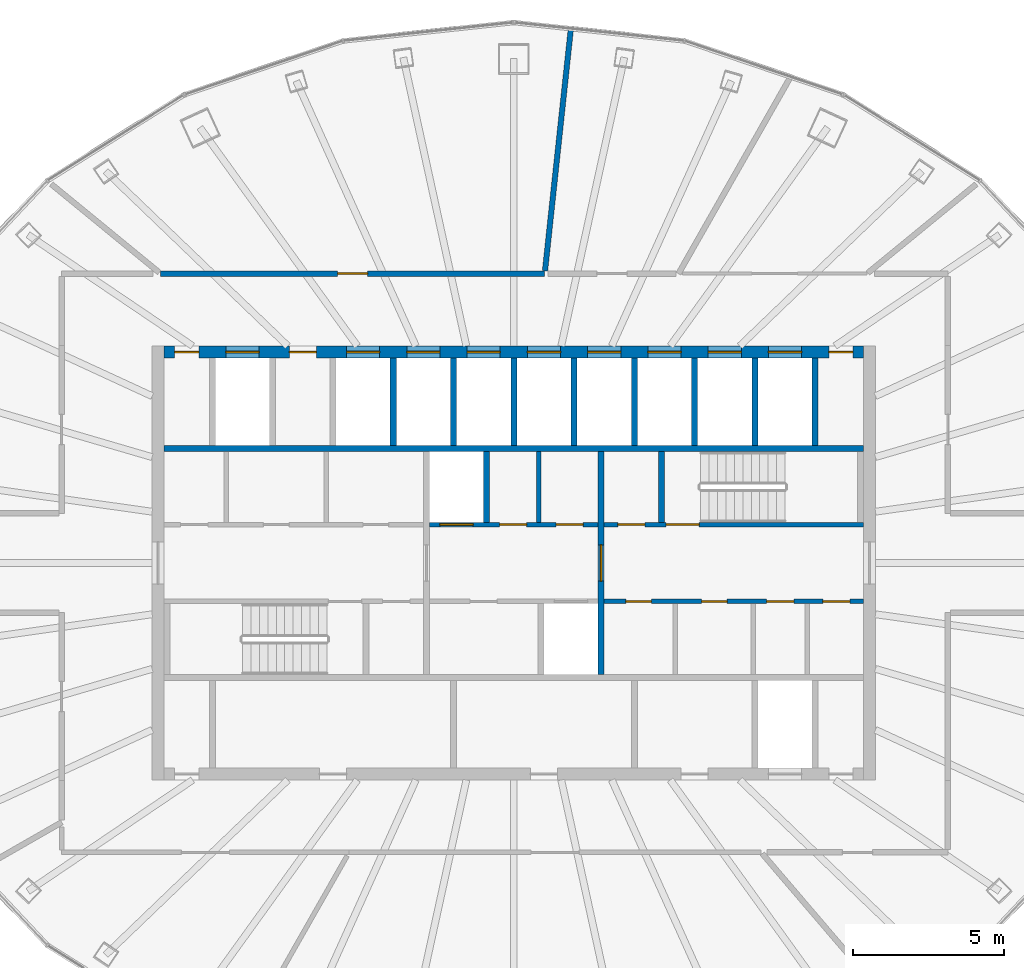
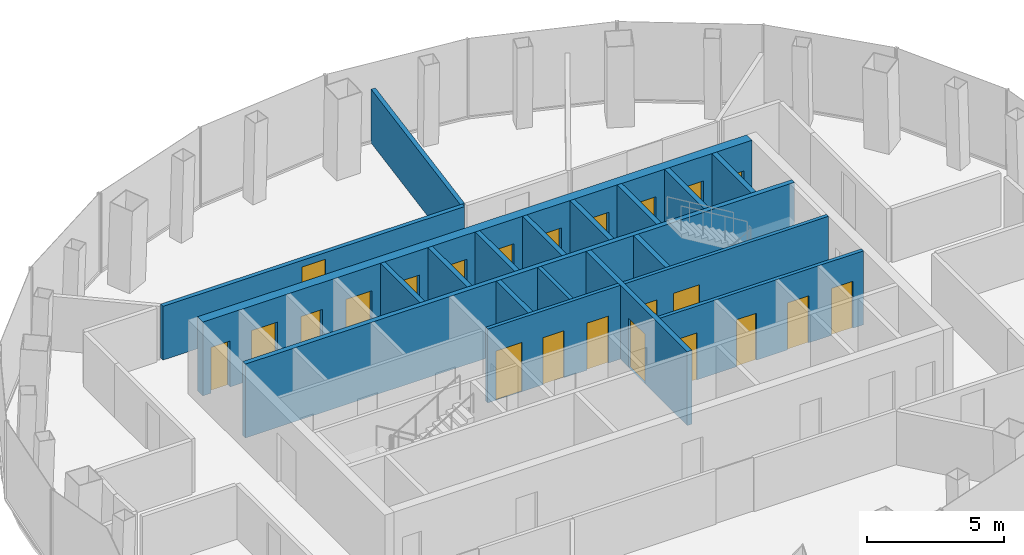
# One storey, part 9 of 11: 23 doors, 19 walls, 23 openings.
"""IFC4 building model written with IfcOpenShell, lengths in metres."""

import ifcopenshell
import ifcopenshell.guid

model = None  # the IFC model being written
_history = None  # IfcOwnerHistory: only IFC2X3 demands one
_inside = {}  # id of a spatial element -> (the spatial element, [elements in it])
_under = {}  # id of a project, library or spatial element -> (it, [spatial elements below it])
_declared = {}  # id of a project -> (the project, [libraries it declares])
_typed = {}  # id of a type object -> (the type object, [elements of that type])
_made_of = {}  # id of a material, layer set ... -> (it, [elements and type objects made of it])


def new_model(schema):
    """Start an empty IFC model of exactly this schema.

    Asked for "IFC4X3", IfcOpenShell would pick the latest addendum, in which some entities
    have other attributes; the version numbers below select the first issue.
    IFC2X3 requires an IfcOwnerHistory on every rooted entity: one is made here for all.
    """
    global model, _history
    if schema == "IFC4X3":
        model = ifcopenshell.file(schema_version=(4, 3, 0, 0))
    else:
        model = ifcopenshell.file(schema=schema)
    _inside.clear()
    _under.clear()
    _declared.clear()
    _typed.clear()
    _made_of.clear()
    _history = None
    if model.schema == "IFC2X3":
        org = make("IfcOrganization", Name="unknown")
        user = make(
            "IfcPersonAndOrganization",
            ThePerson=make("IfcPerson", FamilyName="unknown"),
            TheOrganization=org,
        )
        app = make(
            "IfcApplication",
            ApplicationDeveloper=org,
            Version="unknown",
            ApplicationFullName="unknown",
            ApplicationIdentifier="unknown",
        )
        _history = make(
            "IfcOwnerHistory",
            OwningUser=user,
            OwningApplication=app,
            ChangeAction="ADDED",
            CreationDate=0,
        )
    return model


def make(cls, **values):
    """One entity of the class cls with the attributes given. An attribute that is None is left unset."""
    return model.create_entity(
        cls, **{name: value for name, value in values.items() if value is not None}
    )


def rooted(cls, **values):
    """An entity with a GlobalId (a new one), such as an element, a storey or a relation."""
    return make(cls, GlobalId=ifcopenshell.guid.new(), OwnerHistory=_history, **values)


def si_unit(unit_type, name, prefix=None):
    """IfcSIUnit, for example si_unit("LENGTHUNIT", "METRE", prefix="MILLI")."""
    return make("IfcSIUnit", UnitType=unit_type, Prefix=prefix, Name=name)


def assignment(units):
    """IfcUnitAssignment: the units of a project."""
    return None if units is None else make("IfcUnitAssignment", Units=units)


def point(xyz):
    """IfcCartesianPoint."""
    return None if xyz is None else make("IfcCartesianPoint", Coordinates=xyz)


def direction(xyz):
    """IfcDirection."""
    return None if xyz is None else make("IfcDirection", DirectionRatios=xyz)


def frame(location, z_axis=None, x_axis=None):
    """IfcAxis2Placement3D, a coordinate frame: its origin and axes. An axis left out is left unset."""
    return make(
        "IfcAxis2Placement3D",
        Location=point(location),
        Axis=direction(z_axis),
        RefDirection=direction(x_axis),
    )


def frame_2d(location, x_axis=None):
    """IfcAxis2Placement2D, a coordinate frame in the plane: its origin and x axis."""
    return make(
        "IfcAxis2Placement2D", Location=point(location), RefDirection=direction(x_axis)
    )


def origin():
    """The frame at (0, 0, 0) with its axes left unset."""
    return frame((0.0, 0.0, 0.0))


def place(relative_to, where):
    """IfcLocalPlacement: puts the frame where relative to a parent placement (None: the world)."""
    return make(
        "IfcLocalPlacement", PlacementRelTo=relative_to, RelativePlacement=where
    )


def context(
    kind, dimensions, precision=None, world=None, true_north=None, identifier=None
):
    """IfcGeometricRepresentationContext, for example the 3D "Model" context."""
    return make(
        "IfcGeometricRepresentationContext",
        ContextIdentifier=identifier,
        ContextType=kind,
        CoordinateSpaceDimension=dimensions,
        Precision=precision,
        WorldCoordinateSystem=world,
        TrueNorth=true_north,
    )


def subcontext(parent, identifier, kind, view, scale=None):
    """IfcGeometricRepresentationSubContext, for example "Body" below "Model"."""
    return make(
        "IfcGeometricRepresentationSubContext",
        ContextIdentifier=identifier,
        ContextType=kind,
        ParentContext=parent,
        TargetScale=scale,
        TargetView=view,
    )


def project(units=None, contexts=None):
    """IfcProject with its units and contexts."""
    return rooted(
        "IfcProject",
        Name="project",
        RepresentationContexts=contexts,
        UnitsInContext=assignment(units),
    )


def spatial(cls, under=None, at=None, **own):
    """A site, building, storey or space (cls), placed at a placement, below another one or the project."""
    s = rooted(cls, ObjectPlacement=at, **own)
    if under is not None:
        _under.setdefault(under.id(), (under, []))[1].append(s)
    return s


def profile(cls, at=None, kind="AREA", **sizes):
    """A parametric profile (cls). Its sizes go by their IFC names, for example OverallWidth=200.0."""
    return make(cls, ProfileType=kind, Position=at, **sizes)


def rectangle(**sizes):
    """IfcRectangleProfileDef."""
    return profile("IfcRectangleProfileDef", **sizes)


def extrude(swept, where, along, depth):
    """IfcExtrudedAreaSolid: the profile swept, set in the frame where, extruded along a direction by depth."""
    return make(
        "IfcExtrudedAreaSolid",
        SweptArea=swept,
        Position=where,
        ExtrudedDirection=direction(along),
        Depth=depth,
    )


def shape(context_of_items, identifier, shape_type, items):
    """IfcShapeRepresentation: the items that make up one representation, for example the "Body"."""
    return make(
        "IfcShapeRepresentation",
        ContextOfItems=context_of_items,
        RepresentationIdentifier=identifier,
        RepresentationType=shape_type,
        Items=items,
    )


def material(Name=None, Category=None):
    """IfcMaterial."""
    return make("IfcMaterial", Name=Name, Category=Category)


def layer(
    of_material, thickness, ventilated=None, Name=None, Category=None, Priority=None
):
    """IfcMaterialLayer: one layer of a wall or slab, of a material (None: an air gap)."""
    return make(
        "IfcMaterialLayer",
        Material=of_material,
        LayerThickness=thickness,
        IsVentilated=ventilated,
        Name=Name,
        Category=Category,
        Priority=Priority,
    )


def layer_set(layers, Name=None):
    """IfcMaterialLayerSet."""
    return make("IfcMaterialLayerSet", MaterialLayers=layers, LayerSetName=Name)


def made_of(thing, what):
    """Note that an element or type object is made of a material, layer set ...; save() writes the relation."""
    if what is not None:
        _made_of.setdefault(what.id(), (what, []))[1].append(thing)
    return thing


def type_object(cls, material=None, **own):
    """A type object (cls), such as IfcWallType, which elements share."""
    return made_of(rooted(cls, **own), material)


def element(
    cls,
    number,
    at=None,
    inside=None,
    cuts=None,
    type_object=None,
    material=None,
    context=None,
    identifier="Body",
    shape_type=None,
    held_by="IfcProductDefinitionShape",
    body=None,
    shapes=None,
    **own,
):
    """One element of the class cls, such as IfcWall. Its Tag is "e" and its number.

    at: its placement. inside: the storey or other place that contains it. cuts: it is an
    opening in that element (IfcRelVoidsElement). A single representation is given by context,
    identifier, shape_type and body (its items); several are given by shapes. held_by: the class
    of the entity that holds the representations. save() writes the other relations.
    """
    e = rooted(cls, Tag="e%d" % number, ObjectPlacement=at, **own)
    if body is not None:
        shapes = [shape(context, identifier, shape_type, body)]
    if shapes is not None:
        e.Representation = make(held_by, Representations=shapes)
    if inside is not None:
        _inside.setdefault(inside.id(), (inside, []))[1].append(e)
    if cuts is not None:
        rooted(
            "IfcRelVoidsElement", RelatingBuildingElement=cuts, RelatedOpeningElement=e
        )
    if type_object is not None:
        _typed.setdefault(type_object.id(), (type_object, []))[1].append(e)
    return made_of(e, material)


def fill(opening, filler):
    """IfcRelFillsElement: the door or window that sits in an opening."""
    return rooted(
        "IfcRelFillsElement",
        RelatingOpeningElement=opening,
        RelatedBuildingElement=filler,
    )


def aggregate(whole, parts):
    """IfcRelAggregates: a whole, such as a stair, and the parts it consists of."""
    return rooted("IfcRelAggregates", RelatingObject=whole, RelatedObjects=parts)


def save(model, path):
    """Write the relations noted so far, then the file.

    IfcRelAggregates (storeys below a building ...), IfcRelContainedInSpatialStructure (elements
    in a storey), IfcRelDefinesByType, IfcRelAssociatesMaterial and IfcRelDeclares: one each for
    every whole, place, type object, material and project.
    """
    for whole, parts in _under.values():
        aggregate(whole, parts)
    for where, things in _inside.values():
        rooted(
            "IfcRelContainedInSpatialStructure",
            RelatedElements=things,
            RelatingStructure=where,
        )
    for kind, things in _typed.values():
        rooted("IfcRelDefinesByType", RelatedObjects=things, RelatingType=kind)
    for what, things in _made_of.values():
        rooted("IfcRelAssociatesMaterial", RelatedObjects=things, RelatingMaterial=what)
    for by, libraries in _declared.values():
        rooted("IfcRelDeclares", RelatingContext=by, RelatedDefinitions=libraries)
    model.write(path)


model = new_model("IFC4")

# Units and contexts
model_context = context("Model", 3, precision=1e-05, world=origin(), true_north=direction((0.0, 1.0)))
body_context = subcontext(model_context, "Body", "Model", "MODEL_VIEW")
ifc_project = project(units=[si_unit("LENGTHUNIT", "METRE"), si_unit("AREAUNIT", "SQUARE_METRE"), si_unit("VOLUMEUNIT", "CUBIC_METRE"), si_unit("PLANEANGLEUNIT", "RADIAN"), si_unit("MASSUNIT", "GRAM", prefix="KILO")], contexts=[model_context])

# Site, building, storey
site_placement = place(None, origin())
site = spatial("IfcSite", under=ifc_project, at=site_placement, CompositionType="ELEMENT")
building_placement = place(site_placement, origin())
building = spatial("IfcBuilding", under=site, at=building_placement, Name="Siaravel Broadcast Tower", CompositionType="ELEMENT")
storey_placement = place(building_placement, frame((0.0, 0.0, 224.5)))
storey = spatial("IfcBuildingStorey", under=building, at=storey_placement, Name="L54", CompositionType="ELEMENT", Elevation=224.5)

# Wall
ifc_material_1 = material(Name="Concrete blockwork", Category="masonry")
ifc_layer_1 = layer(ifc_material_1, 0.14990234375)
ifc_layer_set_1 = layer_set([ifc_layer_1], Name="Concrete blockwork")
wall_type_1 = type_object("IfcWallType", Name="Core partition 150", PredefinedType="PARTITIONING", material=ifc_layer_set_1)
wall_1_placement = place(storey_placement, frame((0.827392578125, 1.35009765625, 0.0), z_axis=(0.0, 0.0, 1.0), x_axis=(0.0, 1.0, 0.0)))
element("IfcWall", 1, at=wall_1_placement, inside=storey, type_object=wall_type_1, Name="L54 core partition PNM0", PredefinedType="PARTITIONING", context=body_context, shape_type="SweptSolid", body=[
    extrude(rectangle(XDim=2.349853515625, YDim=0.14990234375, at=frame_2d((1.1748046875, 0.0))), origin(), (0.0, 0.0, 1.0), 3.300048828125),
])

# Wall, openings, doors
ifc_material_2 = material(Name="Concrete C60/75", Category="concrete")
ifc_layer_2 = layer(ifc_material_2, 0.39990234375)
ifc_layer_set_2 = layer_set([ifc_layer_2], Name="Concrete C60/75")
wall_type_2 = type_object("IfcWallType", Name="Core wall 400", PredefinedType="SHEAR", material=ifc_layer_set_2)
wall_2_placement = place(storey_placement, frame((-11.60009765625, 7.0, 0.0), z_axis=(0.0, 0.0, 1.0), x_axis=(1.0, 0.0, 0.0)))
wall_2 = element("IfcWall", 2, at=wall_2_placement, inside=storey, type_object=wall_type_2, Name="L54 core wall ON", PredefinedType="SHEAR", context=body_context, shape_type="SweptSolid", body=[
    extrude(rectangle(XDim=23.2001953125, YDim=0.39990234375, at=frame_2d((11.60009765625, 0.0))), origin(), (0.0, 0.0, 1.0), 3.300048828125),
])
opening_1_placement = place(wall_2_placement, frame((2.050048828125, 0.0, 0.0)))
opening_1 = element("IfcOpeningElement", 3, at=opening_1_placement, cuts=wall_2, Name="Opening LD-SV2-L54", PredefinedType="OPENING", context=body_context, shape_type="SweptSolid", body=[
    extrude(rectangle(XDim=1.10009765625, YDim=2.199951171875, at=frame_2d((0.550048828125, 1.10009765625))), frame((0.0, 0.2099609375, 0.0), z_axis=(0.0, -1.0, 0.0), x_axis=(1.0, 0.0, 0.0)), (0.0, 0.0, 1.0), 0.419921875),
])
opening_2_placement = place(wall_2_placement, frame((6.050048828125, 0.0, 0.0)))
opening_2 = element("IfcOpeningElement", 4, at=opening_2_placement, cuts=wall_2, Name="Opening LD-HP1-L54", PredefinedType="OPENING", context=body_context, shape_type="SweptSolid", body=[
    extrude(rectangle(XDim=1.10009765625, YDim=2.199951171875, at=frame_2d((0.550048828125, 1.10009765625))), frame((0.0, 0.2099609375, 0.0), z_axis=(0.0, -1.0, 0.0), x_axis=(1.0, 0.0, 0.0)), (0.0, 0.0, 1.0), 0.419921875),
])
opening_3_placement = place(wall_2_placement, frame((8.050048828125, 0.0, 0.0)))
opening_3 = element("IfcOpeningElement", 5, at=opening_3_placement, cuts=wall_2, Name="Opening LD-HP2-L54", PredefinedType="OPENING", context=body_context, shape_type="SweptSolid", body=[
    extrude(rectangle(XDim=1.10009765625, YDim=2.199951171875, at=frame_2d((0.550048828125, 1.10009765625))), frame((0.0, 0.2099609375, 0.0), z_axis=(0.0, -1.0, 0.0), x_axis=(1.0, 0.0, 0.0)), (0.0, 0.0, 1.0), 0.419921875),
])
opening_4_placement = place(wall_2_placement, frame((10.050048828125, 0.0, 0.0)))
opening_4 = element("IfcOpeningElement", 6, at=opening_4_placement, cuts=wall_2, Name="Opening LD-HP3-L54", PredefinedType="OPENING", context=body_context, shape_type="SweptSolid", body=[
    extrude(rectangle(XDim=1.10009765625, YDim=2.199951171875, at=frame_2d((0.550048828125, 1.10009765625))), frame((0.0, 0.2099609375, 0.0), z_axis=(0.0, -1.0, 0.0), x_axis=(1.0, 0.0, 0.0)), (0.0, 0.0, 1.0), 0.419921875),
])
opening_5_placement = place(wall_2_placement, frame((12.050048828125, 0.0, 0.0)))
opening_5 = element("IfcOpeningElement", 7, at=opening_5_placement, cuts=wall_2, Name="Opening LD-HP4-L54", PredefinedType="OPENING", context=body_context, shape_type="SweptSolid", body=[
    extrude(rectangle(XDim=1.10009765625, YDim=2.199951171875, at=frame_2d((0.550048828125, 1.10009765625))), frame((0.0, 0.2099609375, 0.0), z_axis=(0.0, -1.0, 0.0), x_axis=(1.0, 0.0, 0.0)), (0.0, 0.0, 1.0), 0.419921875),
])
opening_6_placement = place(wall_2_placement, frame((14.050048828125, 0.0, 0.0)))
opening_6 = element("IfcOpeningElement", 8, at=opening_6_placement, cuts=wall_2, Name="Opening LD-HP5-L54", PredefinedType="OPENING", context=body_context, shape_type="SweptSolid", body=[
    extrude(rectangle(XDim=1.10009765625, YDim=2.199951171875, at=frame_2d((0.550048828125, 1.10009765625))), frame((0.0, 0.2099609375, 0.0), z_axis=(0.0, -1.0, 0.0), x_axis=(1.0, 0.0, 0.0)), (0.0, 0.0, 1.0), 0.419921875),
])
opening_7_placement = place(wall_2_placement, frame((16.050048828125, 0.0, 0.0)))
opening_7 = element("IfcOpeningElement", 9, at=opening_7_placement, cuts=wall_2, Name="Opening LD-HP6-L54", PredefinedType="OPENING", context=body_context, shape_type="SweptSolid", body=[
    extrude(rectangle(XDim=1.10009765625, YDim=2.199951171875, at=frame_2d((0.550048828125, 1.10009765625))), frame((0.0, 0.2099609375, 0.0), z_axis=(0.0, -1.0, 0.0), x_axis=(1.0, 0.0, 0.0)), (0.0, 0.0, 1.0), 0.419921875),
])
opening_8_placement = place(wall_2_placement, frame((18.050048828125, 0.0, 0.0)))
opening_8 = element("IfcOpeningElement", 10, at=opening_8_placement, cuts=wall_2, Name="Opening LD-HP7-L54", PredefinedType="OPENING", context=body_context, shape_type="SweptSolid", body=[
    extrude(rectangle(XDim=1.10009765625, YDim=2.199951171875, at=frame_2d((0.550048828125, 1.10009765625))), frame((0.0, 0.2099609375, 0.0), z_axis=(0.0, -1.0, 0.0), x_axis=(1.0, 0.0, 0.0)), (0.0, 0.0, 1.0), 0.419921875),
])
opening_9_placement = place(wall_2_placement, frame((20.050048828125, 0.0, 0.0)))
opening_9 = element("IfcOpeningElement", 11, at=opening_9_placement, cuts=wall_2, Name="Opening LD-HP8-L54", PredefinedType="OPENING", context=body_context, shape_type="SweptSolid", body=[
    extrude(rectangle(XDim=1.10009765625, YDim=2.199951171875, at=frame_2d((0.550048828125, 1.10009765625))), frame((0.0, 0.2099609375, 0.0), z_axis=(0.0, -1.0, 0.0), x_axis=(1.0, 0.0, 0.0)), (0.0, 0.0, 1.0), 0.419921875),
])
opening_10_placement = place(wall_2_placement, frame((4.14990234375, 0.0, 0.0)))
opening_10 = element("IfcOpeningElement", 12, at=opening_10_placement, cuts=wall_2, Name="Opening L54-DFN1", PredefinedType="OPENING", context=body_context, shape_type="SweptSolid", body=[
    extrude(rectangle(XDim=0.89990234375, YDim=2.10009765625, at=frame_2d((0.449951171875, 1.050048828125))), frame((0.0, 0.2099609375, 0.0), z_axis=(0.0, -1.0, 0.0), x_axis=(1.0, 0.0, 0.0)), (0.0, 0.0, 1.0), 0.419921875),
])
opening_11_placement = place(wall_2_placement, frame((0.35009765625, 0.0, 0.0)))
opening_11 = element("IfcOpeningElement", 13, at=opening_11_placement, cuts=wall_2, Name="Opening L54-DRNW", PredefinedType="OPENING", context=body_context, shape_type="SweptSolid", body=[
    extrude(rectangle(XDim=0.800048828125, YDim=2.050048828125, at=frame_2d((0.39990234375, 1.02490234375))), frame((0.0, 0.2099609375, 0.0), z_axis=(0.0, -1.0, 0.0), x_axis=(1.0, 0.0, 0.0)), (0.0, 0.0, 1.0), 0.419921875),
])
opening_12_placement = place(wall_2_placement, frame((22.050048828125, 0.0, 0.0)))
opening_12 = element("IfcOpeningElement", 14, at=opening_12_placement, cuts=wall_2, Name="Opening L54-DRNE", PredefinedType="OPENING", context=body_context, shape_type="SweptSolid", body=[
    extrude(rectangle(XDim=0.800048828125, YDim=2.050048828125, at=frame_2d((0.39990234375, 1.02490234375))), frame((0.0, 0.2099609375, 0.0), z_axis=(0.0, -1.0, 0.0), x_axis=(1.0, 0.0, 0.0)), (0.0, 0.0, 1.0), 0.419921875),
])
ifc_material_3 = material(Name="Timber veneer", Category="wood")
door_type_1 = type_object("IfcDoorType", Name="Core room door 900", OperationType="SINGLE_SWING_LEFT", PredefinedType="DOOR", material=ifc_material_3)
door_1_placement = place(opening_10_placement, origin())
door_1 = element("IfcDoor", 15, at=door_1_placement, inside=storey, type_object=door_type_1, Name="L54 door DFN1", OperationType="SINGLE_SWING_LEFT", OverallHeight=2.10009765625, OverallWidth=0.89990234375, PredefinedType="DOOR", context=body_context, shape_type="SweptSolid", body=[
    extrude(rectangle(XDim=0.89990234375, YDim=2.10009765625, at=frame_2d((0.449951171875, 1.050048828125))), frame((0.0, 0.02490234375, 0.0), z_axis=(0.0, -1.0, 0.0), x_axis=(1.0, 0.0, 0.0)), (0.0, 0.0, 1.0), 0.050048828125),
])
fill(opening_10, door_1)
ifc_material_4 = material(Name="Stainless steel 316L", Category="steel")
door_type_2 = type_object("IfcDoorType", Name="Lift landing door 1100", OperationType="DOUBLE_DOOR_SLIDING", PredefinedType="DOOR", material=ifc_material_4)
door_2_placement = place(opening_2_placement, origin())
door_2 = element("IfcDoor", 16, at=door_2_placement, inside=storey, type_object=door_type_2, Name="Landing door HP1 L54", OperationType="DOUBLE_DOOR_SLIDING", OverallHeight=2.199951171875, OverallWidth=1.10009765625, PredefinedType="DOOR", context=body_context, shape_type="SweptSolid", body=[
    extrude(rectangle(XDim=1.10009765625, YDim=2.199951171875, at=frame_2d((0.550048828125, 1.10009765625))), frame((0.0, 0.02490234375, 0.0), z_axis=(0.0, -1.0, 0.0), x_axis=(1.0, 0.0, 0.0)), (0.0, 0.0, 1.0), 0.050048828125),
])
fill(opening_2, door_2)
door_3_placement = place(opening_3_placement, origin())
door_3 = element("IfcDoor", 17, at=door_3_placement, inside=storey, type_object=door_type_2, Name="Landing door HP2 L54", OperationType="DOUBLE_DOOR_SLIDING", OverallHeight=2.199951171875, OverallWidth=1.10009765625, PredefinedType="DOOR", context=body_context, shape_type="SweptSolid", body=[
    extrude(rectangle(XDim=1.10009765625, YDim=2.199951171875, at=frame_2d((0.550048828125, 1.10009765625))), frame((0.0, 0.02490234375, 0.0), z_axis=(0.0, -1.0, 0.0), x_axis=(1.0, 0.0, 0.0)), (0.0, 0.0, 1.0), 0.050048828125),
])
fill(opening_3, door_3)
door_4_placement = place(opening_4_placement, origin())
door_4 = element("IfcDoor", 18, at=door_4_placement, inside=storey, type_object=door_type_2, Name="Landing door HP3 L54", OperationType="DOUBLE_DOOR_SLIDING", OverallHeight=2.199951171875, OverallWidth=1.10009765625, PredefinedType="DOOR", context=body_context, shape_type="SweptSolid", body=[
    extrude(rectangle(XDim=1.10009765625, YDim=2.199951171875, at=frame_2d((0.550048828125, 1.10009765625))), frame((0.0, 0.02490234375, 0.0), z_axis=(0.0, -1.0, 0.0), x_axis=(1.0, 0.0, 0.0)), (0.0, 0.0, 1.0), 0.050048828125),
])
fill(opening_4, door_4)
door_5_placement = place(opening_5_placement, origin())
door_5 = element("IfcDoor", 19, at=door_5_placement, inside=storey, type_object=door_type_2, Name="Landing door HP4 L54", OperationType="DOUBLE_DOOR_SLIDING", OverallHeight=2.199951171875, OverallWidth=1.10009765625, PredefinedType="DOOR", context=body_context, shape_type="SweptSolid", body=[
    extrude(rectangle(XDim=1.10009765625, YDim=2.199951171875, at=frame_2d((0.550048828125, 1.10009765625))), frame((0.0, 0.02490234375, 0.0), z_axis=(0.0, -1.0, 0.0), x_axis=(1.0, 0.0, 0.0)), (0.0, 0.0, 1.0), 0.050048828125),
])
fill(opening_5, door_5)
door_6_placement = place(opening_6_placement, origin())
door_6 = element("IfcDoor", 20, at=door_6_placement, inside=storey, type_object=door_type_2, Name="Landing door HP5 L54", OperationType="DOUBLE_DOOR_SLIDING", OverallHeight=2.199951171875, OverallWidth=1.10009765625, PredefinedType="DOOR", context=body_context, shape_type="SweptSolid", body=[
    extrude(rectangle(XDim=1.10009765625, YDim=2.199951171875, at=frame_2d((0.550048828125, 1.10009765625))), frame((0.0, 0.02490234375, 0.0), z_axis=(0.0, -1.0, 0.0), x_axis=(1.0, 0.0, 0.0)), (0.0, 0.0, 1.0), 0.050048828125),
])
fill(opening_6, door_6)
door_7_placement = place(opening_7_placement, origin())
door_7 = element("IfcDoor", 21, at=door_7_placement, inside=storey, type_object=door_type_2, Name="Landing door HP6 L54", OperationType="DOUBLE_DOOR_SLIDING", OverallHeight=2.199951171875, OverallWidth=1.10009765625, PredefinedType="DOOR", context=body_context, shape_type="SweptSolid", body=[
    extrude(rectangle(XDim=1.10009765625, YDim=2.199951171875, at=frame_2d((0.550048828125, 1.10009765625))), frame((0.0, 0.02490234375, 0.0), z_axis=(0.0, -1.0, 0.0), x_axis=(1.0, 0.0, 0.0)), (0.0, 0.0, 1.0), 0.050048828125),
])
fill(opening_7, door_7)
door_8_placement = place(opening_8_placement, origin())
door_8 = element("IfcDoor", 22, at=door_8_placement, inside=storey, type_object=door_type_2, Name="Landing door HP7 L54", OperationType="DOUBLE_DOOR_SLIDING", OverallHeight=2.199951171875, OverallWidth=1.10009765625, PredefinedType="DOOR", context=body_context, shape_type="SweptSolid", body=[
    extrude(rectangle(XDim=1.10009765625, YDim=2.199951171875, at=frame_2d((0.550048828125, 1.10009765625))), frame((0.0, 0.02490234375, 0.0), z_axis=(0.0, -1.0, 0.0), x_axis=(1.0, 0.0, 0.0)), (0.0, 0.0, 1.0), 0.050048828125),
])
fill(opening_8, door_8)
door_9_placement = place(opening_9_placement, origin())
door_9 = element("IfcDoor", 23, at=door_9_placement, inside=storey, type_object=door_type_2, Name="Landing door HP8 L54", OperationType="DOUBLE_DOOR_SLIDING", OverallHeight=2.199951171875, OverallWidth=1.10009765625, PredefinedType="DOOR", context=body_context, shape_type="SweptSolid", body=[
    extrude(rectangle(XDim=1.10009765625, YDim=2.199951171875, at=frame_2d((0.550048828125, 1.10009765625))), frame((0.0, 0.02490234375, 0.0), z_axis=(0.0, -1.0, 0.0), x_axis=(1.0, 0.0, 0.0)), (0.0, 0.0, 1.0), 0.050048828125),
])
fill(opening_9, door_9)
ifc_material_5 = material(Name="Steel", Category="steel")
door_type_3 = type_object("IfcDoorType", Name="Riser door 800", OperationType="SINGLE_SWING_LEFT", PredefinedType="DOOR", material=ifc_material_5)
door_10_placement = place(opening_11_placement, origin())
door_10 = element("IfcDoor", 24, at=door_10_placement, inside=storey, type_object=door_type_3, Name="L54 door DRNW", OperationType="SINGLE_SWING_LEFT", OverallHeight=2.050048828125, OverallWidth=0.800048828125, PredefinedType="DOOR", context=body_context, shape_type="SweptSolid", body=[
    extrude(rectangle(XDim=0.800048828125, YDim=2.050048828125, at=frame_2d((0.39990234375, 1.02490234375))), frame((0.0, 0.02490234375, 0.0), z_axis=(0.0, -1.0, 0.0), x_axis=(1.0, 0.0, 0.0)), (0.0, 0.0, 1.0), 0.050048828125),
])
fill(opening_11, door_10)
door_11_placement = place(opening_12_placement, origin())
door_11 = element("IfcDoor", 25, at=door_11_placement, inside=storey, type_object=door_type_3, Name="L54 door DRNE", OperationType="SINGLE_SWING_LEFT", OverallHeight=2.050048828125, OverallWidth=0.800048828125, PredefinedType="DOOR", context=body_context, shape_type="SweptSolid", body=[
    extrude(rectangle(XDim=0.800048828125, YDim=2.050048828125, at=frame_2d((0.39990234375, 1.02490234375))), frame((0.0, 0.02490234375, 0.0), z_axis=(0.0, -1.0, 0.0), x_axis=(1.0, 0.0, 0.0)), (0.0, 0.0, 1.0), 0.050048828125),
])
fill(opening_12, door_11)
door_type_4 = type_object("IfcDoorType", Name="Service lift landing door 1100", OperationType="DOUBLE_DOOR_SLIDING", PredefinedType="DOOR", material=ifc_material_4)
door_12_placement = place(opening_1_placement, origin())
door_12 = element("IfcDoor", 26, at=door_12_placement, inside=storey, type_object=door_type_4, Name="Landing door SV2 L54", OperationType="DOUBLE_DOOR_SLIDING", OverallHeight=2.199951171875, OverallWidth=1.10009765625, PredefinedType="DOOR", context=body_context, shape_type="SweptSolid", body=[
    extrude(rectangle(XDim=1.10009765625, YDim=2.199951171875, at=frame_2d((0.550048828125, 1.10009765625))), frame((0.0, 0.02490234375, 0.0), z_axis=(0.0, -1.0, 0.0), x_axis=(1.0, 0.0, 0.0)), (0.0, 0.0, 1.0), 0.050048828125),
])
fill(opening_1, door_12)

ifc_material_6 = material(Name="Gypsum board partition", Category="gypsum")
ifc_layer_3 = layer(ifc_material_6, 0.14990234375)
ifc_layer_set_3 = layer_set([ifc_layer_3], Name="Gypsum board partition")
wall_type_3 = type_object("IfcWallType", Name="Corridor wall 150", PredefinedType="PARTITIONING", material=ifc_layer_set_3)
wall_3_placement = place(storey_placement, frame((3.0, -1.27490234375, 0.0), z_axis=(0.0, 0.0, 1.0), x_axis=(1.0, 0.0, 0.0)))
wall_3 = element("IfcWall", 27, at=wall_3_placement, inside=storey, type_object=wall_type_3, Name="L54 core partition CSE", PredefinedType="PARTITIONING", context=body_context, shape_type="SweptSolid", body=[
    extrude(rectangle(XDim=8.60009765625, YDim=0.14990234375, at=frame_2d((4.300048828125, 0.0))), origin(), (0.0, 0.0, 1.0), 3.300048828125),
])
opening_13_placement = place(wall_3_placement, frame((0.716064453125, 0.0, 0.0)))
opening_13 = element("IfcOpeningElement", 28, at=opening_13_placement, cuts=wall_3, Name="Opening L54-DSE0", PredefinedType="OPENING", context=body_context, shape_type="SweptSolid", body=[
    extrude(rectangle(XDim=0.85009765625, YDim=2.10009765625, at=frame_2d((0.425048828125, 1.050048828125))), frame((0.0, 0.0849609375, 0.0), z_axis=(0.0, -1.0, 0.0), x_axis=(1.0, 0.0, 0.0)), (0.0, 0.0, 1.0), 0.169921875),
])
opening_14_placement = place(wall_3_placement, frame((3.2294921875, 0.0, 0.0)))
opening_14 = element("IfcOpeningElement", 29, at=opening_14_placement, cuts=wall_3, Name="Opening L54-DSE1", PredefinedType="OPENING", context=body_context, shape_type="SweptSolid", body=[
    extrude(rectangle(XDim=0.85009765625, YDim=2.10009765625, at=frame_2d((0.425048828125, 1.050048828125))), frame((0.0, 0.0849609375, 0.0), z_axis=(0.0, -1.0, 0.0), x_axis=(1.0, 0.0, 0.0)), (0.0, 0.0, 1.0), 0.169921875),
])
opening_15_placement = place(wall_3_placement, frame((5.39208984375, 0.0, 0.0)))
opening_15 = element("IfcOpeningElement", 30, at=opening_15_placement, cuts=wall_3, Name="Opening L54-DSE2", PredefinedType="OPENING", context=body_context, shape_type="SweptSolid", body=[
    extrude(rectangle(XDim=0.89990234375, YDim=2.10009765625, at=frame_2d((0.449951171875, 1.050048828125))), frame((0.0, 0.0849609375, 0.0), z_axis=(0.0, -1.0, 0.0), x_axis=(1.0, 0.0, 0.0)), (0.0, 0.0, 1.0), 0.169921875),
])
opening_16_placement = place(wall_3_placement, frame((7.25341796875, 0.0, 0.0)))
opening_16 = element("IfcOpeningElement", 31, at=opening_16_placement, cuts=wall_3, Name="Opening L54-DSE3", PredefinedType="OPENING", context=body_context, shape_type="SweptSolid", body=[
    extrude(rectangle(XDim=0.89990234375, YDim=2.10009765625, at=frame_2d((0.449951171875, 1.050048828125))), frame((0.0, 0.0849609375, 0.0), z_axis=(0.0, -1.0, 0.0), x_axis=(1.0, 0.0, 0.0)), (0.0, 0.0, 1.0), 0.169921875),
])
door_13_placement = place(opening_15_placement, origin())
door_13 = element("IfcDoor", 32, at=door_13_placement, inside=storey, type_object=door_type_1, Name="L54 door DSE2", OperationType="SINGLE_SWING_LEFT", OverallHeight=2.10009765625, OverallWidth=0.89990234375, PredefinedType="DOOR", context=body_context, shape_type="SweptSolid", body=[
    extrude(rectangle(XDim=0.89990234375, YDim=2.10009765625, at=frame_2d((0.449951171875, 1.050048828125))), frame((0.0, 0.02490234375, 0.0), z_axis=(0.0, -1.0, 0.0), x_axis=(1.0, 0.0, 0.0)), (0.0, 0.0, 1.0), 0.050048828125),
])
fill(opening_15, door_13)
door_14_placement = place(opening_16_placement, origin())
door_14 = element("IfcDoor", 33, at=door_14_placement, inside=storey, type_object=door_type_1, Name="L54 door DSE3", OperationType="SINGLE_SWING_LEFT", OverallHeight=2.10009765625, OverallWidth=0.89990234375, PredefinedType="DOOR", context=body_context, shape_type="SweptSolid", body=[
    extrude(rectangle(XDim=0.89990234375, YDim=2.10009765625, at=frame_2d((0.449951171875, 1.050048828125))), frame((0.0, 0.02490234375, 0.0), z_axis=(0.0, -1.0, 0.0), x_axis=(1.0, 0.0, 0.0)), (0.0, 0.0, 1.0), 0.050048828125),
])
fill(opening_16, door_14)
door_type_5 = type_object("IfcDoorType", Name="Core toilet door 850", OperationType="SINGLE_SWING_LEFT", PredefinedType="DOOR", material=ifc_material_3)
door_15_placement = place(opening_13_placement, origin())
door_15 = element("IfcDoor", 34, at=door_15_placement, inside=storey, type_object=door_type_5, Name="L54 door DSE0", OperationType="SINGLE_SWING_LEFT", OverallHeight=2.10009765625, OverallWidth=0.85009765625, PredefinedType="DOOR", context=body_context, shape_type="SweptSolid", body=[
    extrude(rectangle(XDim=0.85009765625, YDim=2.10009765625, at=frame_2d((0.425048828125, 1.050048828125))), frame((0.0, 0.02490234375, 0.0), z_axis=(0.0, -1.0, 0.0), x_axis=(1.0, 0.0, 0.0)), (0.0, 0.0, 1.0), 0.050048828125),
])
fill(opening_13, door_15)
door_16_placement = place(opening_14_placement, origin())
door_16 = element("IfcDoor", 35, at=door_16_placement, inside=storey, type_object=door_type_5, Name="L54 door DSE1", OperationType="SINGLE_SWING_LEFT", OverallHeight=2.10009765625, OverallWidth=0.85009765625, PredefinedType="DOOR", context=body_context, shape_type="SweptSolid", body=[
    extrude(rectangle(XDim=0.85009765625, YDim=2.10009765625, at=frame_2d((0.425048828125, 1.050048828125))), frame((0.0, 0.02490234375, 0.0), z_axis=(0.0, -1.0, 0.0), x_axis=(1.0, 0.0, 0.0)), (0.0, 0.0, 1.0), 0.050048828125),
])
fill(opening_14, door_16)

# Wall, opening, door
ifc_layer_4 = layer(ifc_material_1, 0.179931640625)
ifc_layer_set_4 = layer_set([ifc_layer_4], Name="Concrete blockwork")
wall_type_4 = type_object("IfcWallType", Name="Service room fire partition 180", PredefinedType="PARTITIONING", material=ifc_layer_set_4)
wall_4_placement = place(storey_placement, frame((1.025390625, 9.60009765625, 0.0), z_axis=(0.0, 0.0, 1.0), x_axis=(-1.0, 0.0, 0.0)))
wall_4 = element("IfcWall", 36, at=wall_4_placement, inside=storey, type_object=wall_type_4, Name="L54 partition 2", PredefinedType="PARTITIONING", context=body_context, shape_type="SweptSolid", body=[
    extrude(rectangle(XDim=12.745361328125, YDim=0.179931640625, at=frame_2d((6.37255859375, 0.0))), origin(), (0.0, 0.0, 1.0), 2.39990234375),
])
opening_17_placement = place(wall_4_placement, frame((5.872802734375, 0.0, 0.0)))
opening_17 = element("IfcOpeningElement", 37, at=opening_17_placement, cuts=wall_4, Name="Opening L54-006", PredefinedType="OPENING", context=body_context, shape_type="SweptSolid", body=[
    extrude(rectangle(XDim=1.0, YDim=2.10009765625, at=frame_2d((0.5, 1.050048828125))), frame((0.0, 0.099853515625, 0.0), z_axis=(0.0, -1.0, 0.0), x_axis=(1.0, 0.0, 0.0)), (0.0, 0.0, 1.0), 0.199951171875),
])
door_type_6 = type_object("IfcDoorType", Name="Service room door 1000", OperationType="SINGLE_SWING_LEFT", PredefinedType="DOOR", material=ifc_material_5)
door_17_placement = place(opening_17_placement, origin())
door_17 = element("IfcDoor", 38, at=door_17_placement, inside=storey, type_object=door_type_6, Name="L54 door to Library", OperationType="SINGLE_SWING_RIGHT", OverallHeight=2.10009765625, OverallWidth=1.0, PredefinedType="DOOR", context=body_context, shape_type="SweptSolid", body=[
    extrude(rectangle(XDim=1.0, YDim=2.10009765625, at=frame_2d((0.5, 1.050048828125))), frame((0.0, 0.02490234375, 0.0), z_axis=(0.0, -1.0, 0.0), x_axis=(1.0, 0.0, 0.0)), (0.0, 0.0, 1.0), 0.050048828125),
])
fill(opening_17, door_17)

# Wall
wall_5_placement = place(storey_placement, frame((1.890380859375, 17.698486328125, 0.0), z_axis=(0.0, 0.0, 1.0), x_axis=(-0.106198071, -0.994344995, 0.0)))
element("IfcWall", 39, at=wall_5_placement, inside=storey, type_object=wall_type_4, Name="L54 partition 4", PredefinedType="PARTITIONING", context=body_context, shape_type="SweptSolid", body=[
    extrude(rectangle(XDim=8.05322265625, YDim=0.179931640625, at=frame_2d((4.026611328125, 0.0))), origin(), (0.0, 0.0, 1.0), 2.39990234375),
])

# Wall, openings, doors
ifc_layer_5 = layer(ifc_material_2, 0.14990234375)
ifc_layer_set_5 = layer_set([ifc_layer_5], Name="Concrete C60/75")
wall_type_5 = type_object("IfcWallType", Name="Shaft wall 150", PredefinedType="SHEAR", material=ifc_layer_set_5)
wall_6_placement = place(storey_placement, frame((-2.800048828125, 1.27490234375, 0.0), z_axis=(0.0, 0.0, 1.0), x_axis=(1.0, 0.0, 0.0)))
wall_6 = element("IfcWall", 40, at=wall_6_placement, inside=storey, type_object=wall_type_5, Name="L54 core wall CNM", PredefinedType="SHEAR", context=body_context, shape_type="SweptSolid", body=[
    extrude(rectangle(XDim=5.60009765625, YDim=0.14990234375, at=frame_2d((2.800048828125, 0.0))), origin(), (0.0, 0.0, 1.0), 3.300048828125),
])
opening_18_placement = place(wall_6_placement, frame((0.35009765625, 0.0, 0.0)))
opening_18 = element("IfcOpeningElement", 41, at=opening_18_placement, cuts=wall_6, Name="Opening LD-FL1-L54", PredefinedType="OPENING", context=body_context, shape_type="SweptSolid", body=[
    extrude(rectangle(XDim=1.10009765625, YDim=2.199951171875, at=frame_2d((0.550048828125, 1.10009765625))), frame((0.0, 0.0849609375, 0.0), z_axis=(0.0, -1.0, 0.0), x_axis=(1.0, 0.0, 0.0)), (0.0, 0.0, 1.0), 0.169921875),
])
opening_19_placement = place(wall_6_placement, frame((2.326171875, 0.0, 0.0)))
opening_19 = element("IfcOpeningElement", 42, at=opening_19_placement, cuts=wall_6, Name="Opening L54-DNM0", PredefinedType="OPENING", context=body_context, shape_type="SweptSolid", body=[
    extrude(rectangle(XDim=0.89990234375, YDim=2.10009765625, at=frame_2d((0.449951171875, 1.050048828125))), frame((0.0, 0.0849609375, 0.0), z_axis=(0.0, -1.0, 0.0), x_axis=(1.0, 0.0, 0.0)), (0.0, 0.0, 1.0), 0.169921875),
])
opening_20_placement = place(wall_6_placement, frame((4.201171875, 0.0, 0.0)))
opening_20 = element("IfcOpeningElement", 43, at=opening_20_placement, cuts=wall_6, Name="Opening L54-DNM1", PredefinedType="OPENING", context=body_context, shape_type="SweptSolid", body=[
    extrude(rectangle(XDim=0.89990234375, YDim=2.10009765625, at=frame_2d((0.449951171875, 1.050048828125))), frame((0.0, 0.0849609375, 0.0), z_axis=(0.0, -1.0, 0.0), x_axis=(1.0, 0.0, 0.0)), (0.0, 0.0, 1.0), 0.169921875),
])
door_18_placement = place(opening_19_placement, origin())
door_18 = element("IfcDoor", 44, at=door_18_placement, inside=storey, type_object=door_type_1, Name="L54 door DNM0", OperationType="SINGLE_SWING_LEFT", OverallHeight=2.10009765625, OverallWidth=0.89990234375, PredefinedType="DOOR", context=body_context, shape_type="SweptSolid", body=[
    extrude(rectangle(XDim=0.89990234375, YDim=2.10009765625, at=frame_2d((0.449951171875, 1.050048828125))), frame((0.0, 0.02490234375, 0.0), z_axis=(0.0, -1.0, 0.0), x_axis=(1.0, 0.0, 0.0)), (0.0, 0.0, 1.0), 0.050048828125),
])
fill(opening_19, door_18)
door_19_placement = place(opening_20_placement, origin())
door_19 = element("IfcDoor", 45, at=door_19_placement, inside=storey, type_object=door_type_1, Name="L54 door DNM1", OperationType="SINGLE_SWING_LEFT", OverallHeight=2.10009765625, OverallWidth=0.89990234375, PredefinedType="DOOR", context=body_context, shape_type="SweptSolid", body=[
    extrude(rectangle(XDim=0.89990234375, YDim=2.10009765625, at=frame_2d((0.449951171875, 1.050048828125))), frame((0.0, 0.02490234375, 0.0), z_axis=(0.0, -1.0, 0.0), x_axis=(1.0, 0.0, 0.0)), (0.0, 0.0, 1.0), 0.050048828125),
])
fill(opening_20, door_19)
door_type_7 = type_object("IfcDoorType", Name="Firefighting lift landing door 1100", OperationType="DOUBLE_DOOR_SLIDING", PredefinedType="DOOR", material=ifc_material_4)
door_20_placement = place(opening_18_placement, origin())
door_20 = element("IfcDoor", 46, at=door_20_placement, inside=storey, type_object=door_type_7, Name="Landing door FL1 L54", OperationType="DOUBLE_DOOR_SLIDING", OverallHeight=2.199951171875, OverallWidth=1.10009765625, PredefinedType="DOOR", context=body_context, shape_type="SweptSolid", body=[
    extrude(rectangle(XDim=1.10009765625, YDim=2.199951171875, at=frame_2d((0.550048828125, 1.10009765625))), frame((0.0, 0.02490234375, 0.0), z_axis=(0.0, -1.0, 0.0), x_axis=(1.0, 0.0, 0.0)), (0.0, 0.0, 1.0), 0.050048828125),
])
fill(opening_18, door_20)

wall_7_placement = place(storey_placement, frame((3.0, 1.27490234375, 0.0), z_axis=(0.0, 0.0, 1.0), x_axis=(1.0, 0.0, 0.0)))
wall_7 = element("IfcWall", 47, at=wall_7_placement, inside=storey, type_object=wall_type_5, Name="L54 core wall CNE", PredefinedType="SHEAR", context=body_context, shape_type="SweptSolid", body=[
    extrude(rectangle(XDim=8.60009765625, YDim=0.14990234375, at=frame_2d((4.300048828125, 0.0))), origin(), (0.0, 0.0, 1.0), 3.300048828125),
])
opening_21_placement = place(wall_7_placement, frame((2.050048828125, 0.0, 0.0)))
opening_21 = element("IfcOpeningElement", 48, at=opening_21_placement, cuts=wall_7, Name="Opening L54-DS-2", PredefinedType="OPENING", context=body_context, shape_type="SweptSolid", body=[
    extrude(rectangle(XDim=1.10009765625, YDim=2.14990234375, at=frame_2d((0.550048828125, 1.074951171875))), frame((0.0, 0.0849609375, 0.0), z_axis=(0.0, -1.0, 0.0), x_axis=(1.0, 0.0, 0.0)), (0.0, 0.0, 1.0), 0.169921875),
])
opening_22_placement = place(wall_7_placement, frame((0.449951171875, 0.0, 0.0)))
opening_22 = element("IfcOpeningElement", 49, at=opening_22_placement, cuts=wall_7, Name="Opening L54-DNE0", PredefinedType="OPENING", context=body_context, shape_type="SweptSolid", body=[
    extrude(rectangle(XDim=0.89990234375, YDim=2.10009765625, at=frame_2d((0.449951171875, 1.050048828125))), frame((0.0, 0.0849609375, 0.0), z_axis=(0.0, -1.0, 0.0), x_axis=(1.0, 0.0, 0.0)), (0.0, 0.0, 1.0), 0.169921875),
])
door_21_placement = place(opening_22_placement, origin())
door_21 = element("IfcDoor", 50, at=door_21_placement, inside=storey, type_object=door_type_1, Name="L54 door DNE0", OperationType="SINGLE_SWING_LEFT", OverallHeight=2.10009765625, OverallWidth=0.89990234375, PredefinedType="DOOR", context=body_context, shape_type="SweptSolid", body=[
    extrude(rectangle(XDim=0.89990234375, YDim=2.10009765625, at=frame_2d((0.449951171875, 1.050048828125))), frame((0.0, 0.02490234375, 0.0), z_axis=(0.0, -1.0, 0.0), x_axis=(1.0, 0.0, 0.0)), (0.0, 0.0, 1.0), 0.050048828125),
])
fill(opening_22, door_21)
door_type_8 = type_object("IfcDoorType", Name="Stair door 1100", OperationType="SINGLE_SWING_LEFT", PredefinedType="DOOR", material=ifc_material_5)
door_22_placement = place(opening_21_placement, origin())
door_22 = element("IfcDoor", 51, at=door_22_placement, inside=storey, type_object=door_type_8, Name="L54 door DS-2", OperationType="SINGLE_SWING_LEFT", OverallHeight=2.14990234375, OverallWidth=1.10009765625, PredefinedType="DOOR", context=body_context, shape_type="SweptSolid", body=[
    extrude(rectangle(XDim=1.10009765625, YDim=2.14990234375, at=frame_2d((0.550048828125, 1.074951171875))), frame((0.0, 0.02490234375, 0.0), z_axis=(0.0, -1.0, 0.0), x_axis=(1.0, 0.0, 0.0)), (0.0, 0.0, 1.0), 0.050048828125),
])
fill(opening_21, door_22)

# Walls
ifc_layer_6 = layer(ifc_material_2, 0.199951171875)
ifc_layer_set_6 = layer_set([ifc_layer_6], Name="Concrete C60/75")
wall_type_6 = type_object("IfcWallType", Name="Shaft wall 200", PredefinedType="SHEAR", material=ifc_layer_set_6)
wall_8_placement = place(storey_placement, frame((-11.60009765625, 3.800048828125, 0.0), z_axis=(0.0, 0.0, 1.0), x_axis=(1.0, 0.0, 0.0)))
element("IfcWall", 52, at=wall_8_placement, inside=storey, type_object=wall_type_6, Name="L54 core wall BN", PredefinedType="SHEAR", context=body_context, shape_type="SweptSolid", body=[
    extrude(rectangle(XDim=23.2001953125, YDim=0.199951171875, at=frame_2d((11.60009765625, 0.0))), origin(), (0.0, 0.0, 1.0), 3.300048828125),
])
for number, where, z_axis, x_axis, name in (
    (53, (-4.0, 3.89990234375, 0.0), (0.0, 0.0, 1.0), (0.0, 1.0, 0.0), "L54 core wall SWN3"),
    (54, (-2.0, 3.89990234375, 0.0), (0.0, 0.0, 1.0), (0.0, 1.0, 0.0), "L54 core wall SWN4"),
    (55, (0.0, 3.89990234375, 0.0), (0.0, 0.0, 1.0), (0.0, 1.0, 0.0), "L54 core wall SWN5"),
    (56, (2.0, 3.89990234375, 0.0), (0.0, 0.0, 1.0), (0.0, 1.0, 0.0), "L54 core wall SWN6"),
    (57, (4.0, 3.89990234375, 0.0), (0.0, 0.0, 1.0), (0.0, 1.0, 0.0), "L54 core wall SWN7"),
    (58, (6.0, 3.89990234375, 0.0), (0.0, 0.0, 1.0), (0.0, 1.0, 0.0), "L54 core wall SWN8"),
    (59, (8.0, 3.89990234375, 0.0), (0.0, 0.0, 1.0), (0.0, 1.0, 0.0), "L54 core wall SWN9"),
    (60, (10.0, 3.89990234375, 0.0), (0.0, 0.0, 1.0), (0.0, 1.0, 0.0), "L54 core wall SWN10"),
):
    element("IfcWall", number, at=place(storey_placement, frame(where, z_axis=z_axis, x_axis=x_axis)), inside=storey, type_object=wall_type_6, Name=name, PredefinedType="SHEAR", context=body_context, shape_type="SweptSolid", body=[
        extrude(rectangle(XDim=2.900146484375, YDim=0.199951171875, at=frame_2d((1.4501953125, 0.0))), origin(), (0.0, 0.0, 1.0), 3.300048828125),
    ])

# Wall, opening, door
wall_9_placement = place(storey_placement, frame((2.89990234375, -3.699951171875, 0.0), z_axis=(0.0, 0.0, 1.0), x_axis=(0.0, 1.0, 0.0)))
wall_9 = element("IfcWall", 61, at=wall_9_placement, inside=storey, type_object=wall_type_6, Name="L54 core wall LE", PredefinedType="SHEAR", context=body_context, shape_type="SweptSolid", body=[
    extrude(rectangle(XDim=7.39990234375, YDim=0.199951171875, at=frame_2d((3.699951171875, 0.0))), origin(), (0.0, 0.0, 1.0), 3.300048828125),
])
opening_23_placement = place(wall_9_placement, frame((3.10009765625, 0.0, 0.0)))
opening_23 = element("IfcOpeningElement", 62, at=opening_23_placement, cuts=wall_9, Name="Opening L54-DL-E", PredefinedType="OPENING", context=body_context, shape_type="SweptSolid", body=[
    extrude(rectangle(XDim=1.199951171875, YDim=2.199951171875, at=frame_2d((0.60009765625, 1.10009765625))), frame((0.0, 0.10986328125, 0.0), z_axis=(0.0, -1.0, 0.0), x_axis=(1.0, 0.0, 0.0)), (0.0, 0.0, 1.0), 0.219970703125),
])
door_type_9 = type_object("IfcDoorType", Name="Firefighting lobby door 1200", OperationType="SINGLE_SWING_LEFT", PredefinedType="DOOR", material=ifc_material_5)
door_23_placement = place(opening_23_placement, origin())
door_23 = element("IfcDoor", 63, at=door_23_placement, inside=storey, type_object=door_type_9, Name="L54 door DL-E", OperationType="SINGLE_SWING_LEFT", OverallHeight=2.199951171875, OverallWidth=1.199951171875, PredefinedType="DOOR", context=body_context, shape_type="SweptSolid", body=[
    extrude(rectangle(XDim=1.199951171875, YDim=2.199951171875, at=frame_2d((0.60009765625, 1.10009765625))), frame((0.0, 0.02490234375, 0.0), z_axis=(0.0, -1.0, 0.0), x_axis=(1.0, 0.0, 0.0)), (0.0, 0.0, 1.0), 0.050048828125),
])
fill(opening_23, door_23)

# Walls
for number, where, z_axis, x_axis, name in (
    (64, (-0.89990234375, 1.35009765625, 0.0), (0.0, 0.0, 1.0), (0.0, 1.0, 0.0), "L54 core wall FF1E"),
    (65, (4.89990234375, 1.35009765625, 0.0), (0.0, 0.0, 1.0), (0.0, 1.0, 0.0), "L54 core wall ST2W"),
):
    element("IfcWall", number, at=place(storey_placement, frame(where, z_axis=z_axis, x_axis=x_axis)), inside=storey, type_object=wall_type_6, Name=name, PredefinedType="SHEAR", context=body_context, shape_type="SweptSolid", body=[
        extrude(rectangle(XDim=2.349853515625, YDim=0.199951171875, at=frame_2d((1.1748046875, 0.0))), origin(), (0.0, 0.0, 1.0), 3.300048828125),
    ])

save(model, "model.ifc")
